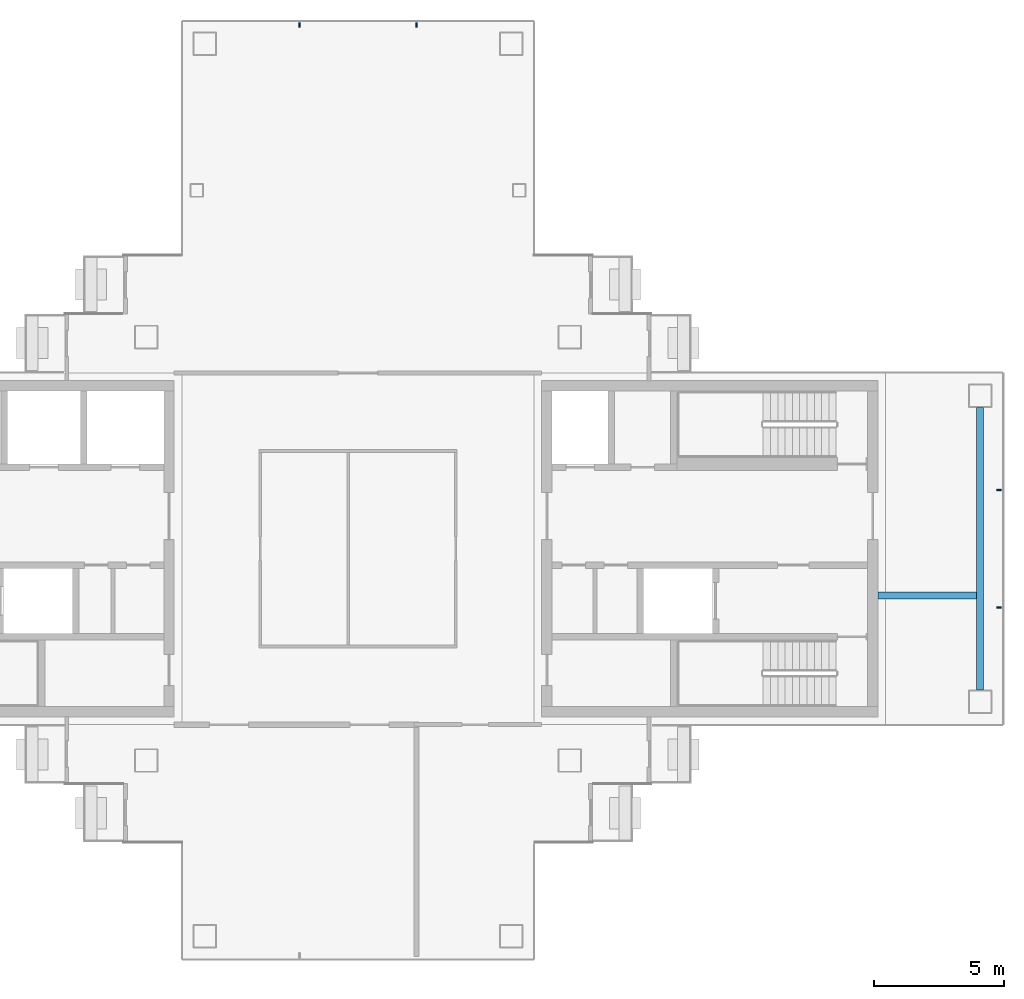
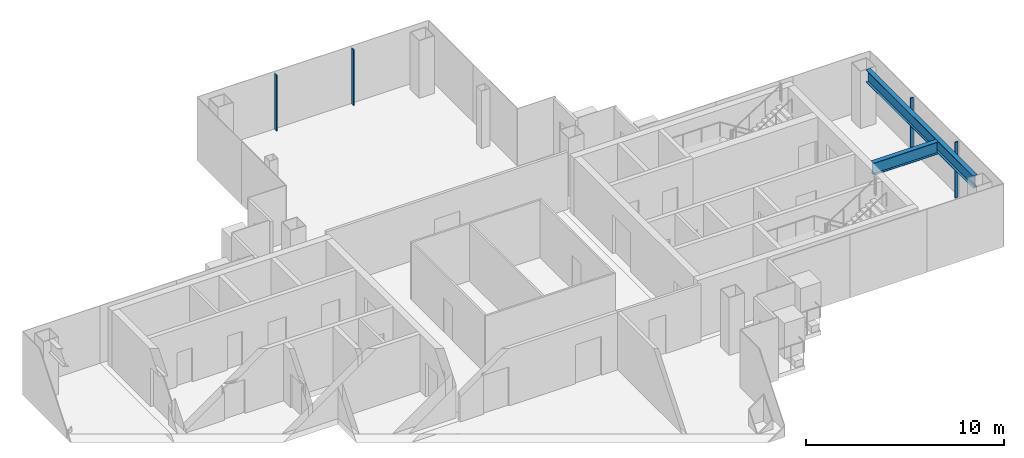
# One storey, part 6 of 16: 4 members, 2 beams, 2 elements without a shape of their own.
"""IFC4 building model written with IfcOpenShell, lengths in metres."""

from ifc_helpers import new_model, si_unit, direction, frame, origin, origin_2d, place, context, subcontext, project, spatial, rectangle, i_section, extrude, material, layer, layer_set, material_profile, profile_set, type_object, element, aggregate, save


model = new_model("IFC4")

# Units and contexts
model_context = context("Model", 3, precision=1e-05, world=origin(), true_north=direction((0.0, 1.0)))
body_context = subcontext(model_context, "Body", "Model", "MODEL_VIEW")
ifc_project = project(units=[si_unit("LENGTHUNIT", "METRE"), si_unit("AREAUNIT", "SQUARE_METRE"), si_unit("VOLUMEUNIT", "CUBIC_METRE"), si_unit("PLANEANGLEUNIT", "RADIAN"), si_unit("MASSUNIT", "GRAM", prefix="KILO")], contexts=[model_context])

# Site, building, storey
site_placement = place(None, origin())
site = spatial("IfcSite", under=ifc_project, at=site_placement, CompositionType="ELEMENT")
building_placement = place(site_placement, origin())
building = spatial("IfcBuilding", under=site, at=building_placement, Name="Shamsa Quay Exchange Towers", CompositionType="ELEMENT")
storey_placement = place(building_placement, frame((0.0, 0.0, 242.10009765625)))
storey = spatial("IfcBuildingStorey", under=building, at=storey_placement, Name="L58", CompositionType="ELEMENT", Elevation=242.10009765625)

# Curtain wall, members
ifc_material_1 = material(Name="Aluminium EN AW-6063 T6, black anodised", Category="aluminium")
ifc_layer = layer(ifc_material_1, 0.280029296875)
ifc_layer_set = layer_set([ifc_layer], Name="CW-1 UNITISED VISION GLASS")
curtain_wall_type = type_object("IfcCurtainWallType", Name="CW-1 UNITISED VISION GLASS", PredefinedType="NOTDEFINED", material=ifc_layer_set)
curtain_wall_1_placement = place(storey_placement, origin())
curtain_wall_1 = element("IfcCurtainWall", 1, at=curtain_wall_1_placement, inside=storey, type_object=curtain_wall_type, Name="CW1 T2-END-V- L58", PredefinedType="NOTDEFINED")
ifc_material_profile_1 = material_profile(ifc_material_1, rectangle(XDim=0.179931640625, YDim=0.06005859375, at=origin_2d()), Name="MU60x180")
ifc_profile_set_1 = profile_set([ifc_material_profile_1], Name="Aluminium EN AW-6063 T6, black anodised")
member_type = type_object("IfcMemberType", Name="CW1 MULLION 60x180", PredefinedType="MULLION", material=ifc_profile_set_1)
member_1_placement = place(storey_placement, frame((58.35009765625, -2.25, 0.0), z_axis=(0.0, 0.0, 1.0), x_axis=(-1.0, 0.0, 0.0)))
member_1 = element("IfcMember", 2, at=member_1_placement, type_object=member_type, Name="CW1 mullion", PredefinedType="MULLION", context=body_context, shape_type="SweptSolid", body=[
    extrude(rectangle(XDim=0.179931640625, YDim=0.06005859375, at=origin_2d()), origin(), (0.0, 0.0, 1.0), 3.449951171875),
])
member_2_placement = place(storey_placement, frame((58.35009765625, 2.25, 0.0), z_axis=(0.0, 0.0, 1.0), x_axis=(-1.0, 0.0, 0.0)))
member_2 = element("IfcMember", 3, at=member_2_placement, type_object=member_type, Name="CW1 mullion", PredefinedType="MULLION", context=body_context, shape_type="SweptSolid", body=[
    extrude(rectangle(XDim=0.179931640625, YDim=0.06005859375, at=origin_2d()), origin(), (0.0, 0.0, 1.0), 3.449951171875),
])
aggregate(curtain_wall_1, [member_1, member_2])

curtain_wall_2_placement = place(storey_placement, origin())
curtain_wall_2 = element("IfcCurtainWall", 4, at=curtain_wall_2_placement, inside=storey, type_object=curtain_wall_type, Name="CW1 T2-END-U+ L58", PredefinedType="NOTDEFINED")
member_3_placement = place(storey_placement, frame((36.0, 20.10009765625, 0.0), z_axis=(0.0, 0.0, 1.0), x_axis=(0.0, -1.0, 0.0)))
member_3 = element("IfcMember", 5, at=member_3_placement, type_object=member_type, Name="CW1 mullion", PredefinedType="MULLION", context=body_context, shape_type="SweptSolid", body=[
    extrude(rectangle(XDim=0.179931640625, YDim=0.06005859375, at=origin_2d()), origin(), (0.0, 0.0, 1.0), 3.449951171875),
])
member_4_placement = place(storey_placement, frame((31.5, 20.10009765625, 0.0), z_axis=(0.0, 0.0, 1.0), x_axis=(0.0, -1.0, 0.0)))
member_4 = element("IfcMember", 6, at=member_4_placement, type_object=member_type, Name="CW1 mullion", PredefinedType="MULLION", context=body_context, shape_type="SweptSolid", body=[
    extrude(rectangle(XDim=0.179931640625, YDim=0.06005859375, at=origin_2d()), origin(), (0.0, 0.0, 1.0), 3.449951171875),
])
aggregate(curtain_wall_2, [member_3, member_4])

# Beams
ifc_material_2 = material(Name="Steel S355", Category="steel")
ifc_material_profile_2 = material_profile(ifc_material_2, i_section(OverallWidth=0.26611328125, OverallDepth=0.7578125, WebThickness=0.013916015625, FlangeThickness=0.019287109375, at=origin_2d()), Name="W30x108")
ifc_profile_set_2 = profile_set([ifc_material_profile_2], Name="Steel S355")
beam_type = type_object("IfcBeamType", Name="End-zone beam W30x108", PredefinedType="BEAM", material=ifc_profile_set_2)
beam_1_placement = place(storey_placement, frame((57.625, -5.425048828125, 3.171142578125), z_axis=(0.0, 1.0, 0.0), x_axis=(-1.0, 0.0, 0.0)))
element("IfcBeam", 7, at=beam_1_placement, inside=storey, type_object=beam_type, Name="End beam T2 V- end zone L58", PredefinedType="BEAM", context=body_context, shape_type="SweptSolid", body=[
    extrude(i_section(OverallWidth=0.26611328125, OverallDepth=0.7578125, WebThickness=0.013916015625, FlangeThickness=0.019287109375, at=origin_2d()), origin(), (0.0, 0.0, 1.0), 10.85009765625),
])
beam_2_placement = place(storey_placement, frame((53.699951171875, -1.800048828125, 3.171142578125), z_axis=(1.0, 0.0, 0.0), x_axis=(0.0, 1.0, 0.0)))
element("IfcBeam", 8, at=beam_2_placement, inside=storey, type_object=beam_type, Name="Spine beam T2 V- end zone L58", PredefinedType="BEAM", context=body_context, shape_type="SweptSolid", body=[
    extrude(i_section(OverallWidth=0.26611328125, OverallDepth=0.7578125, WebThickness=0.013916015625, FlangeThickness=0.019287109375, at=origin_2d()), origin(), (0.0, 0.0, 1.0), 3.7919921875),
])

save(model, "model.ifc")
